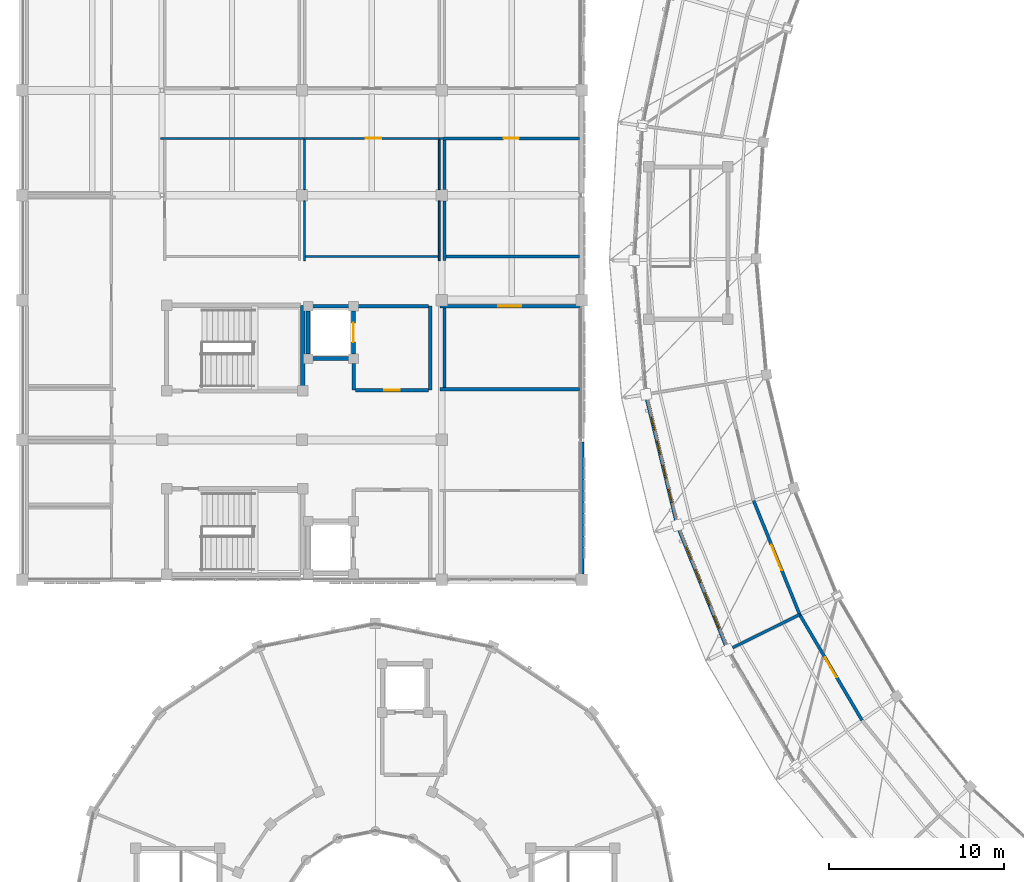
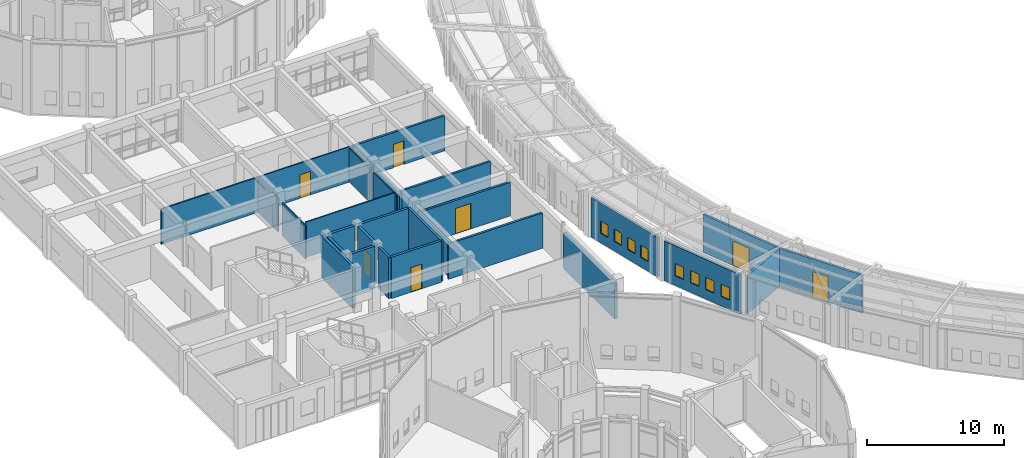
# One storey, part 121 of 149: 29 walls, 8 windows, 7 doors, 15 openings.
"""IFC4 building model written with IfcOpenShell, lengths in metres."""

from ifc_helpers import new_model, si_unit, direction, frame, frame_2d, origin, place, context, subcontext, project, spatial, rectangle, extrude, material, layer, layer_set, type_object, element, fill, save


model = new_model("IFC4")

# Units and contexts
model_context = context("Model", 3, precision=1e-05, world=origin(), true_north=direction((0.0, 1.0)))
body_context = subcontext(model_context, "Body", "Model", "MODEL_VIEW")
ifc_project = project(units=[si_unit("LENGTHUNIT", "METRE"), si_unit("AREAUNIT", "SQUARE_METRE"), si_unit("VOLUMEUNIT", "CUBIC_METRE"), si_unit("PLANEANGLEUNIT", "RADIAN"), si_unit("MASSUNIT", "GRAM", prefix="KILO")], contexts=[model_context])

# Site, building, storey
site_placement = place(None, origin())
site = spatial("IfcSite", under=ifc_project, at=site_placement, CompositionType="ELEMENT")
building_placement = place(site_placement, origin())
building = spatial("IfcBuilding", under=site, at=building_placement, Name="Celadon Cloister-Ring School", CompositionType="ELEMENT")
storey_placement = place(building_placement, frame((0.0, 0.0, 12.5)))
storey = spatial("IfcBuildingStorey", under=building, at=storey_placement, Name="L03", CompositionType="ELEMENT", Elevation=12.5)

# Wall
ifc_material_1 = material(Name="Rendered concrete blockwork", Category="masonry")
ifc_layer_1 = layer(ifc_material_1, 0.260009765625)
ifc_layer_set_1 = layer_set([ifc_layer_1], Name="Rendered concrete blockwork")
wall_type_1 = type_object("IfcWallType", Name="WT-EX2", PredefinedType="SOLIDWALL", material=ifc_layer_set_1)
wall_1_placement = place(storey_placement, frame((32.0, 47.887939453125, 0.0), z_axis=(0.0, 0.0, 1.0), x_axis=(0.0, -1.0, 0.0)))
element("IfcWall", 1, at=wall_1_placement, inside=storey, type_object=wall_type_1, Name="Exterior Wall 0535", PredefinedType="SOLIDWALL", context=body_context, shape_type="SweptSolid", body=[
    extrude(rectangle(XDim=7.56103515625, YDim=0.260009765625, at=frame_2d((3.780517578125, 0.0))), origin(), (0.0, 0.0, 1.0), 3.152099609375),
])

# Wall, openings, windows
ifc_material_2 = material(Name="Perforated terracotta clay brick masonry", Category="masonry")
ifc_layer_2 = layer(ifc_material_2, 0.219970703125)
ifc_layer_set_2 = layer_set([ifc_layer_2], Name="Perforated terracotta clay brick masonry")
wall_type_2 = type_object("IfcWallType", Name="WT-EX4", PredefinedType="SOLIDWALL", material=ifc_layer_set_2)
wall_2_placement = place(storey_placement, frame((37.412109375, 43.419921875, 0.0), z_axis=(0.0, 0.0, 1.0), x_axis=(-0.234017027709, 0.972232498296, 0.0)))
wall_2 = element("IfcWall", 2, at=wall_2_placement, inside=storey, type_object=wall_type_2, Name="Exterior Wall 0182", PredefinedType="SOLIDWALL", context=body_context, shape_type="SweptSolid", body=[
    extrude(rectangle(XDim=7.08154296875, YDim=0.219970703125, at=frame_2d((3.540771484375, 0.0))), origin(), (0.0, 0.0, 1.0), 3.537109375),
])
opening_1_placement = place(wall_2_placement, frame((1.01611328125, 0.0, 0.85009765625)))
opening_1 = element("IfcOpeningElement", 3, at=opening_1_placement, cuts=wall_2, Name="Opening WN-01", PredefinedType="OPENING", context=body_context, shape_type="SweptSolid", body=[
    extrude(rectangle(XDim=0.800048828125, YDim=1.10009765625, at=frame_2d((0.39990234375, 0.550048828125))), frame((0.0, 0.1201171875, 0.0), z_axis=(0.0, -1.0, 0.0), x_axis=(1.0, 0.0, 0.0)), (0.0, 0.0, 1.0), 0.239990234375),
])
opening_2_placement = place(wall_2_placement, frame((2.43310546875, 0.0, 0.85009765625)))
opening_2 = element("IfcOpeningElement", 4, at=opening_2_placement, cuts=wall_2, Name="Opening WN-01", PredefinedType="OPENING", context=body_context, shape_type="SweptSolid", body=[
    extrude(rectangle(XDim=0.800048828125, YDim=1.10009765625, at=frame_2d((0.39990234375, 0.550048828125))), frame((0.0, 0.1201171875, 0.0), z_axis=(0.0, -1.0, 0.0), x_axis=(1.0, 0.0, 0.0)), (0.0, 0.0, 1.0), 0.239990234375),
])
opening_3_placement = place(wall_2_placement, frame((3.84912109375, 0.0, 0.85009765625)))
opening_3 = element("IfcOpeningElement", 5, at=opening_3_placement, cuts=wall_2, Name="Opening WN-01", PredefinedType="OPENING", context=body_context, shape_type="SweptSolid", body=[
    extrude(rectangle(XDim=0.800048828125, YDim=1.10009765625, at=frame_2d((0.39990234375, 0.550048828125))), frame((0.0, 0.1201171875, 0.0), z_axis=(0.0, -1.0, 0.0), x_axis=(1.0, 0.0, 0.0)), (0.0, 0.0, 1.0), 0.239990234375),
])
opening_4_placement = place(wall_2_placement, frame((5.264892578125, 0.0, 0.85009765625)))
opening_4 = element("IfcOpeningElement", 6, at=opening_4_placement, cuts=wall_2, Name="Opening WN-01", PredefinedType="OPENING", context=body_context, shape_type="SweptSolid", body=[
    extrude(rectangle(XDim=0.800048828125, YDim=1.10009765625, at=frame_2d((0.39990234375, 0.550048828125))), frame((0.0, 0.1201171875, 0.0), z_axis=(0.0, -1.0, 0.0), x_axis=(1.0, 0.0, 0.0)), (0.0, 0.0, 1.0), 0.239990234375),
])
ifc_material_3 = material(Name="Tempered laminated insulating glass", Category="glass")
window_type = type_object("IfcWindowType", Name="WN-01", PartitioningType="SINGLE_PANEL", PredefinedType="WINDOW", material=ifc_material_3)
window_1_placement = place(opening_1_placement, origin())
window_1 = element("IfcWindow", 7, at=window_1_placement, inside=storey, type_object=window_type, Name="Window 0472", OverallHeight=1.10009765625, OverallWidth=0.800048828125, PartitioningType="SINGLE_PANEL", PredefinedType="WINDOW", context=body_context, shape_type="SweptSolid", body=[
    extrude(rectangle(XDim=0.800048828125, YDim=1.10009765625, at=frame_2d((0.39990234375, 0.550048828125))), frame((0.0, 0.030029296875, 0.0), z_axis=(0.0, -1.0, 0.0), x_axis=(1.0, 0.0, 0.0)), (0.0, 0.0, 1.0), 0.06005859375),
])
fill(opening_1, window_1)
window_2_placement = place(opening_2_placement, origin())
window_2 = element("IfcWindow", 8, at=window_2_placement, inside=storey, type_object=window_type, Name="Window 0473", OverallHeight=1.10009765625, OverallWidth=0.800048828125, PartitioningType="SINGLE_PANEL", PredefinedType="WINDOW", context=body_context, shape_type="SweptSolid", body=[
    extrude(rectangle(XDim=0.800048828125, YDim=1.10009765625, at=frame_2d((0.39990234375, 0.550048828125))), frame((0.0, 0.030029296875, 0.0), z_axis=(0.0, -1.0, 0.0), x_axis=(1.0, 0.0, 0.0)), (0.0, 0.0, 1.0), 0.06005859375),
])
fill(opening_2, window_2)
window_3_placement = place(opening_3_placement, origin())
window_3 = element("IfcWindow", 9, at=window_3_placement, inside=storey, type_object=window_type, Name="Window 0474", OverallHeight=1.10009765625, OverallWidth=0.800048828125, PartitioningType="SINGLE_PANEL", PredefinedType="WINDOW", context=body_context, shape_type="SweptSolid", body=[
    extrude(rectangle(XDim=0.800048828125, YDim=1.10009765625, at=frame_2d((0.39990234375, 0.550048828125))), frame((0.0, 0.030029296875, 0.0), z_axis=(0.0, -1.0, 0.0), x_axis=(1.0, 0.0, 0.0)), (0.0, 0.0, 1.0), 0.06005859375),
])
fill(opening_3, window_3)
window_4_placement = place(opening_4_placement, origin())
window_4 = element("IfcWindow", 10, at=window_4_placement, inside=storey, type_object=window_type, Name="Window 0475", OverallHeight=1.10009765625, OverallWidth=0.800048828125, PartitioningType="SINGLE_PANEL", PredefinedType="WINDOW", context=body_context, shape_type="SweptSolid", body=[
    extrude(rectangle(XDim=0.800048828125, YDim=1.10009765625, at=frame_2d((0.39990234375, 0.550048828125))), frame((0.0, 0.030029296875, 0.0), z_axis=(0.0, -1.0, 0.0), x_axis=(1.0, 0.0, 0.0)), (0.0, 0.0, 1.0), 0.06005859375),
])
fill(opening_4, window_4)

wall_3_placement = place(storey_placement, frame((40.258056640625, 36.264892578125, 0.0), z_axis=(0.0, 0.0, 1.0), x_axis=(-0.375031251377, 0.92701216847, 0.0)))
wall_3 = element("IfcWall", 11, at=wall_3_placement, inside=storey, type_object=wall_type_2, Name="Exterior Wall 0183", PredefinedType="SOLIDWALL", context=body_context, shape_type="SweptSolid", body=[
    extrude(rectangle(XDim=7.08203125, YDim=0.219970703125, at=frame_2d((3.541015625, 0.0))), origin(), (0.0, 0.0, 1.0), 3.537109375),
])
opening_5_placement = place(wall_3_placement, frame((1.01611328125, 0.0, 0.85009765625)))
opening_5 = element("IfcOpeningElement", 12, at=opening_5_placement, cuts=wall_3, Name="Opening WN-01", PredefinedType="OPENING", context=body_context, shape_type="SweptSolid", body=[
    extrude(rectangle(XDim=0.800048828125, YDim=1.10009765625, at=frame_2d((0.39990234375, 0.550048828125))), frame((0.0, 0.1201171875, 0.0), z_axis=(0.0, -1.0, 0.0), x_axis=(1.0, 0.0, 0.0)), (0.0, 0.0, 1.0), 0.239990234375),
])
opening_6_placement = place(wall_3_placement, frame((2.43310546875, 0.0, 0.85009765625)))
opening_6 = element("IfcOpeningElement", 13, at=opening_6_placement, cuts=wall_3, Name="Opening WN-01", PredefinedType="OPENING", context=body_context, shape_type="SweptSolid", body=[
    extrude(rectangle(XDim=0.800048828125, YDim=1.10009765625, at=frame_2d((0.39990234375, 0.550048828125))), frame((0.0, 0.1201171875, 0.0), z_axis=(0.0, -1.0, 0.0), x_axis=(1.0, 0.0, 0.0)), (0.0, 0.0, 1.0), 0.239990234375),
])
opening_7_placement = place(wall_3_placement, frame((3.84912109375, 0.0, 0.85009765625)))
opening_7 = element("IfcOpeningElement", 14, at=opening_7_placement, cuts=wall_3, Name="Opening WN-01", PredefinedType="OPENING", context=body_context, shape_type="SweptSolid", body=[
    extrude(rectangle(XDim=0.800048828125, YDim=1.10009765625, at=frame_2d((0.39990234375, 0.550048828125))), frame((0.0, 0.1201171875, 0.0), z_axis=(0.0, -1.0, 0.0), x_axis=(1.0, 0.0, 0.0)), (0.0, 0.0, 1.0), 0.239990234375),
])
opening_8_placement = place(wall_3_placement, frame((5.26611328125, 0.0, 0.85009765625)))
opening_8 = element("IfcOpeningElement", 15, at=opening_8_placement, cuts=wall_3, Name="Opening WN-01", PredefinedType="OPENING", context=body_context, shape_type="SweptSolid", body=[
    extrude(rectangle(XDim=0.800048828125, YDim=1.10009765625, at=frame_2d((0.39990234375, 0.550048828125))), frame((0.0, 0.1201171875, 0.0), z_axis=(0.0, -1.0, 0.0), x_axis=(1.0, 0.0, 0.0)), (0.0, 0.0, 1.0), 0.239990234375),
])
window_5_placement = place(opening_5_placement, origin())
window_5 = element("IfcWindow", 16, at=window_5_placement, inside=storey, type_object=window_type, Name="Window 0476", OverallHeight=1.10009765625, OverallWidth=0.800048828125, PartitioningType="SINGLE_PANEL", PredefinedType="WINDOW", context=body_context, shape_type="SweptSolid", body=[
    extrude(rectangle(XDim=0.800048828125, YDim=1.10009765625, at=frame_2d((0.39990234375, 0.550048828125))), frame((0.0, 0.030029296875, 0.0), z_axis=(0.0, -1.0, 0.0), x_axis=(1.0, 0.0, 0.0)), (0.0, 0.0, 1.0), 0.06005859375),
])
fill(opening_5, window_5)
window_6_placement = place(opening_6_placement, origin())
window_6 = element("IfcWindow", 17, at=window_6_placement, inside=storey, type_object=window_type, Name="Window 0477", OverallHeight=1.10009765625, OverallWidth=0.800048828125, PartitioningType="SINGLE_PANEL", PredefinedType="WINDOW", context=body_context, shape_type="SweptSolid", body=[
    extrude(rectangle(XDim=0.800048828125, YDim=1.10009765625, at=frame_2d((0.39990234375, 0.550048828125))), frame((0.0, 0.030029296875, 0.0), z_axis=(0.0, -1.0, 0.0), x_axis=(1.0, 0.0, 0.0)), (0.0, 0.0, 1.0), 0.06005859375),
])
fill(opening_6, window_6)
window_7_placement = place(opening_7_placement, origin())
window_7 = element("IfcWindow", 18, at=window_7_placement, inside=storey, type_object=window_type, Name="Window 0478", OverallHeight=1.10009765625, OverallWidth=0.800048828125, PartitioningType="SINGLE_PANEL", PredefinedType="WINDOW", context=body_context, shape_type="SweptSolid", body=[
    extrude(rectangle(XDim=0.800048828125, YDim=1.10009765625, at=frame_2d((0.39990234375, 0.550048828125))), frame((0.0, 0.030029296875, 0.0), z_axis=(0.0, -1.0, 0.0), x_axis=(1.0, 0.0, 0.0)), (0.0, 0.0, 1.0), 0.06005859375),
])
fill(opening_7, window_7)
window_8_placement = place(opening_8_placement, origin())
window_8 = element("IfcWindow", 19, at=window_8_placement, inside=storey, type_object=window_type, Name="Window 0479", OverallHeight=1.10009765625, OverallWidth=0.800048828125, PartitioningType="SINGLE_PANEL", PredefinedType="WINDOW", context=body_context, shape_type="SweptSolid", body=[
    extrude(rectangle(XDim=0.800048828125, YDim=1.10009765625, at=frame_2d((0.39990234375, 0.550048828125))), frame((0.0, 0.030029296875, 0.0), z_axis=(0.0, -1.0, 0.0), x_axis=(1.0, 0.0, 0.0)), (0.0, 0.0, 1.0), 0.06005859375),
])
fill(opening_8, window_8)

# Walls
ifc_material_4 = material(Name="Plastered hollow concrete masonry", Category="masonry")
ifc_layer_3 = layer(ifc_material_4, 0.199951171875)
ifc_layer_set_3 = layer_set([ifc_layer_3], Name="Plastered hollow concrete masonry")
wall_type_3 = type_object("IfcWallType", Name="WT-PT1", PredefinedType="PARTITIONING", material=ifc_layer_set_3)
wall_4_placement = place(storey_placement, frame((18.949951171875, 50.85009765625, 0.0), z_axis=(0.0, 0.0, 1.0), x_axis=(0.0, 1.0, 0.0)))
element("IfcWall", 20, at=wall_4_placement, inside=storey, type_object=wall_type_3, Name="Interior Wall 0279", PredefinedType="PARTITIONING", context=body_context, shape_type="SweptSolid", body=[
    extrude(rectangle(XDim=1.532958984375, YDim=0.199951171875, at=frame_2d((0.7666015625, 0.0))), origin(), (0.0, 0.0, 1.0), 3.699951171875),
])
wall_5_placement = place(storey_placement, frame((23.35009765625, 50.85009765625, 0.0), z_axis=(0.0, 0.0, 1.0), x_axis=(0.0, 1.0, 0.0)))
element("IfcWall", 21, at=wall_5_placement, inside=storey, type_object=wall_type_3, Name="Interior Wall 0280", PredefinedType="PARTITIONING", context=body_context, shape_type="SweptSolid", body=[
    extrude(rectangle(XDim=4.7998046875, YDim=0.199951171875, at=frame_2d((2.39990234375, 0.0))), origin(), (0.0, 0.0, 1.0), 3.699951171875),
])
wall_6_placement = place(storey_placement, frame((19.217041015625, 55.64990234375, 0.0), z_axis=(0.0, 0.0, 1.0), x_axis=(1.0, 0.0, 0.0)))
element("IfcWall", 22, at=wall_6_placement, inside=storey, type_object=wall_type_3, Name="Interior Wall 0281", PredefinedType="PARTITIONING", context=body_context, shape_type="SweptSolid", body=[
    extrude(rectangle(XDim=4.030029296875, YDim=0.199951171875, at=frame_2d((2.01513671875, 0.0))), origin(), (0.0, 0.0, 1.0), 3.699951171875),
])

# Wall, opening, door
wall_7_placement = place(storey_placement, frame((19.052978515625, 50.85009765625, 0.0), z_axis=(0.0, 0.0, 1.0), x_axis=(1.0, 0.0, 0.0)))
wall_7 = element("IfcWall", 23, at=wall_7_placement, inside=storey, type_object=wall_type_3, Name="Interior Wall 0282", PredefinedType="PARTITIONING", context=body_context, shape_type="SweptSolid", body=[
    extrude(rectangle(XDim=4.194091796875, YDim=0.199951171875, at=frame_2d((2.09716796875, 0.0))), origin(), (0.0, 0.0, 1.0), 3.699951171875),
])
opening_9_placement = place(wall_7_placement, frame((1.64697265625, 0.0, 0.0)))
opening_9 = element("IfcOpeningElement", 24, at=opening_9_placement, cuts=wall_7, Name="Opening D-0094", PredefinedType="OPENING", context=body_context, shape_type="SweptSolid", body=[
    extrude(rectangle(XDim=0.89990234375, YDim=2.199951171875, at=frame_2d((0.449951171875, 1.10009765625))), frame((0.0, 0.10986328125, 0.0), z_axis=(0.0, -1.0, 0.0), x_axis=(1.0, 0.0, 0.0)), (0.0, 0.0, 1.0), 0.219970703125),
])
ifc_material_5 = material(Name="Solid-core fire-rated hardwood leaf", Category="wood")
door_type_1 = type_object("IfcDoorType", Name="DT-06", OperationType="NOTDEFINED", PredefinedType="DOOR", material=ifc_material_5)
door_1_placement = place(opening_9_placement, origin())
door_1 = element("IfcDoor", 25, at=door_1_placement, inside=storey, type_object=door_type_1, Name="Door D-0094", OperationType="SINGLE_SWING_RIGHT", OverallHeight=2.199951171875, OverallWidth=0.89990234375, PredefinedType="DOOR", context=body_context, shape_type="SweptSolid", body=[
    extrude(rectangle(XDim=0.89990234375, YDim=2.199951171875, at=frame_2d((0.449951171875, 1.10009765625))), frame((0.0, 0.02490234375, 0.0), z_axis=(0.0, -1.0, 0.0), x_axis=(1.0, 0.0, 0.0)), (0.0, 0.0, 1.0), 0.050048828125),
])
fill(opening_9, door_1)

ifc_material_6 = material(Name="Plastered hollow concrete masonry", Category="masonry")
ifc_layer_4 = layer(ifc_material_6, 0.179931640625)
ifc_layer_set_4 = layer_set([ifc_layer_4], Name="Plastered hollow concrete masonry")
wall_type_4 = type_object("IfcWallType", Name="WT-PT2", PredefinedType="PARTITIONING", material=ifc_layer_set_4)
wall_8_placement = place(storey_placement, frame((41.845947265625, 44.51708984375, 0.0), z_axis=(0.0, 0.0, 1.0), x_axis=(0.375036360506, -0.927010101508, 0.0)))
wall_8 = element("IfcWall", 26, at=wall_8_placement, inside=storey, type_object=wall_type_4, Name="Interior Wall 0618", PredefinedType="PARTITIONING", context=body_context, shape_type="SweptSolid", body=[
    extrude(rectangle(XDim=7.026123046875, YDim=0.179931640625, at=frame_2d((3.51318359375, 0.0))), origin(), (0.0, 0.0, 1.0), 3.39697265625),
])
opening_10_placement = place(wall_8_placement, frame((2.738037109375, 0.0, 0.0)))
opening_10 = element("IfcOpeningElement", 27, at=opening_10_placement, cuts=wall_8, Name="Opening D-0215", PredefinedType="OPENING", context=body_context, shape_type="SweptSolid", body=[
    extrude(rectangle(XDim=1.550048828125, YDim=2.199951171875, at=frame_2d((0.77490234375, 1.10009765625))), frame((0.0, 0.10009765625, 0.0), z_axis=(0.0, -1.0, 0.0), x_axis=(1.0, 0.0, 0.0)), (0.0, 0.0, 1.0), 0.199951171875),
])
ifc_material_7 = material(Name="Galvanised fire-rated hollow steel leaf", Category="steel")
door_type_2 = type_object("IfcDoorType", Name="DT-13", OperationType="NOTDEFINED", PredefinedType="DOOR", material=ifc_material_7)
door_2_placement = place(opening_10_placement, origin())
door_2 = element("IfcDoor", 28, at=door_2_placement, inside=storey, type_object=door_type_2, Name="Door D-0215", OperationType="SINGLE_SWING_LEFT", OverallHeight=2.199951171875, OverallWidth=1.550048828125, PredefinedType="DOOR", context=body_context, shape_type="SweptSolid", body=[
    extrude(rectangle(XDim=1.550048828125, YDim=2.199951171875, at=frame_2d((0.77490234375, 1.10009765625))), frame((0.0, 0.02490234375, 0.0), z_axis=(0.0, -1.0, 0.0), x_axis=(1.0, 0.0, 0.0)), (0.0, 0.0, 1.0), 0.050048828125),
])
fill(opening_10, door_2)

wall_9_placement = place(storey_placement, frame((44.48095703125, 38.00390625, 0.0), z_axis=(0.0, 0.0, 1.0), x_axis=(0.508041876767, -0.861332369908, 0.0)))
wall_9 = element("IfcWall", 29, at=wall_9_placement, inside=storey, type_object=wall_type_4, Name="Interior Wall 0619", PredefinedType="PARTITIONING", context=body_context, shape_type="SweptSolid", body=[
    extrude(rectangle(XDim=7.025146484375, YDim=0.179931640625, at=frame_2d((3.5126953125, 0.0))), origin(), (0.0, 0.0, 1.0), 3.39697265625),
])
opening_11_placement = place(wall_9_placement, frame((2.863037109375, 0.0, 0.0)))
opening_11 = element("IfcOpeningElement", 30, at=opening_11_placement, cuts=wall_9, Name="Opening D-0216", PredefinedType="OPENING", context=body_context, shape_type="SweptSolid", body=[
    extrude(rectangle(XDim=1.300048828125, YDim=2.280029296875, at=frame_2d((0.64990234375, 1.14013671875))), frame((0.0, 0.10009765625, 0.0), z_axis=(0.0, -1.0, 0.0), x_axis=(1.0, 0.0, 0.0)), (0.0, 0.0, 1.0), 0.199951171875),
])
ifc_material_8 = material(Name="Galvanised fire-rated hollow steel leaf", Category="steel")
door_type_3 = type_object("IfcDoorType", Name="DT-16", OperationType="NOTDEFINED", PredefinedType="DOOR", material=ifc_material_8)
door_3_placement = place(opening_11_placement, origin())
door_3 = element("IfcDoor", 31, at=door_3_placement, inside=storey, type_object=door_type_3, Name="Door D-0216", OperationType="SINGLE_SWING_RIGHT", OverallHeight=2.280029296875, OverallWidth=1.300048828125, PredefinedType="DOOR", context=body_context, shape_type="SweptSolid", body=[
    extrude(rectangle(XDim=1.300048828125, YDim=2.280029296875, at=frame_2d((0.64990234375, 1.14013671875))), frame((0.0, 0.02490234375, 0.0), z_axis=(0.0, -1.0, 0.0), x_axis=(1.0, 0.0, 0.0)), (0.0, 0.0, 1.0), 0.050048828125),
])
fill(opening_11, door_3)

wall_10_placement = place(storey_placement, frame((24.090087890625, 65.25, 0.0), z_axis=(0.0, 0.0, 1.0), x_axis=(1.0, 0.0, 0.0)))
wall_10 = element("IfcWall", 32, at=wall_10_placement, inside=storey, type_object=wall_type_4, Name="Interior Wall 1087", PredefinedType="PARTITIONING", context=body_context, shape_type="SweptSolid", body=[
    extrude(rectangle(XDim=7.77685546875, YDim=0.179931640625, at=frame_2d((3.888427734375, 0.0))), origin(), (0.0, 0.0, 1.0), 3.152099609375),
])
opening_12_placement = place(wall_10_placement, frame((3.448974609375, 0.0, 0.0)))
opening_12 = element("IfcOpeningElement", 33, at=opening_12_placement, cuts=wall_10, Name="Opening D-0386", PredefinedType="OPENING", context=body_context, shape_type="SweptSolid", body=[
    extrude(rectangle(XDim=0.8798828125, YDim=2.10009765625, at=frame_2d((0.43994140625, 1.050048828125))), frame((0.0, 0.10009765625, 0.0), z_axis=(0.0, -1.0, 0.0), x_axis=(1.0, 0.0, 0.0)), (0.0, 0.0, 1.0), 0.199951171875),
])
ifc_material_9 = material(Name="Solid-core fire-rated hardwood leaf", Category="wood")
door_type_4 = type_object("IfcDoorType", Name="DT-01", OperationType="NOTDEFINED", PredefinedType="DOOR", material=ifc_material_9)
door_4_placement = place(opening_12_placement, origin())
door_4 = element("IfcDoor", 34, at=door_4_placement, inside=storey, type_object=door_type_4, Name="Door D-0386", OperationType="SINGLE_SWING_RIGHT", OverallHeight=2.10009765625, OverallWidth=0.8798828125, PredefinedType="DOOR", context=body_context, shape_type="SweptSolid", body=[
    extrude(rectangle(XDim=0.8798828125, YDim=2.10009765625, at=frame_2d((0.43994140625, 1.050048828125))), frame((0.0, 0.02490234375, 0.0), z_axis=(0.0, -1.0, 0.0), x_axis=(1.0, 0.0, 0.0)), (0.0, 0.0, 1.0), 0.050048828125),
])
fill(opening_12, door_4)

# Walls
wall_11_placement = place(storey_placement, frame((24.14990234375, 58.260009765625, 0.0), z_axis=(0.0, 0.0, 1.0), x_axis=(0.0, 1.0, 0.0)))
element("IfcWall", 35, at=wall_11_placement, inside=storey, type_object=wall_type_4, Name="Interior Wall 1088", PredefinedType="PARTITIONING", context=body_context, shape_type="SweptSolid", body=[
    extrude(rectangle(XDim=3.423095703125, YDim=0.179931640625, at=frame_2d((1.71142578125, 0.0))), origin(), (0.0, 0.0, 1.0), 3.001953125),
])
wall_12_placement = place(storey_placement, frame((24.14990234375, 62.31689453125, 0.0), z_axis=(0.0, 0.0, 1.0), x_axis=(0.0, 1.0, 0.0)))
element("IfcWall", 36, at=wall_12_placement, inside=storey, type_object=wall_type_4, Name="Interior Wall 1089", PredefinedType="PARTITIONING", context=body_context, shape_type="SweptSolid", body=[
    extrude(rectangle(XDim=2.840087890625, YDim=0.179931640625, at=frame_2d((1.419921875, 0.0))), origin(), (0.0, 0.0, 1.0), 3.001953125),
])
wall_13_placement = place(storey_placement, frame((31.866943359375, 58.5, 0.0), z_axis=(0.0, 0.0, 1.0), x_axis=(-1.0, 0.0, 0.0)))
element("IfcWall", 37, at=wall_13_placement, inside=storey, type_object=wall_type_4, Name="Interior Wall 1090", PredefinedType="PARTITIONING", context=body_context, shape_type="SweptSolid", body=[
    extrude(rectangle(XDim=7.6240234375, YDim=0.179931640625, at=frame_2d((3.81201171875, 0.0))), origin(), (0.0, 0.0, 1.0), 3.152099609375),
])

# Wall, opening, door
wall_14_placement = place(storey_placement, frame((23.909912109375, 55.64990234375, 0.0), z_axis=(0.0, 0.0, 1.0), x_axis=(1.0, 0.0, 0.0)))
wall_14 = element("IfcWall", 38, at=wall_14_placement, inside=storey, type_object=wall_type_4, Name="Interior Wall 1114", PredefinedType="PARTITIONING", context=body_context, shape_type="SweptSolid", body=[
    extrude(rectangle(XDim=7.95703125, YDim=0.179931640625, at=frame_2d((3.978515625, 0.0))), origin(), (0.0, 0.0, 1.0), 3.001953125),
])
opening_13_placement = place(wall_14_placement, frame((3.3291015625, 0.0, 0.0)))
opening_13 = element("IfcOpeningElement", 39, at=opening_13_placement, cuts=wall_14, Name="Opening D-0396", PredefinedType="OPENING", context=body_context, shape_type="SweptSolid", body=[
    extrude(rectangle(XDim=1.300048828125, YDim=2.280029296875, at=frame_2d((0.64990234375, 1.14013671875))), frame((0.0, 0.10009765625, 0.0), z_axis=(0.0, -1.0, 0.0), x_axis=(1.0, 0.0, 0.0)), (0.0, 0.0, 1.0), 0.199951171875),
])
door_5_placement = place(opening_13_placement, origin())
door_5 = element("IfcDoor", 40, at=door_5_placement, inside=storey, type_object=door_type_3, Name="Door D-0396", OperationType="SINGLE_SWING_RIGHT", OverallHeight=2.280029296875, OverallWidth=1.300048828125, PredefinedType="DOOR", context=body_context, shape_type="SweptSolid", body=[
    extrude(rectangle(XDim=1.300048828125, YDim=2.280029296875, at=frame_2d((0.64990234375, 1.14013671875))), frame((0.0, 0.02490234375, 0.0), z_axis=(0.0, -1.0, 0.0), x_axis=(1.0, 0.0, 0.0)), (0.0, 0.0, 1.0), 0.050048828125),
])
fill(opening_13, door_5)

# Walls
wall_15_placement = place(storey_placement, frame((31.866943359375, 50.89990234375, 0.0), z_axis=(0.0, 0.0, 1.0), x_axis=(-1.0, 0.0, 0.0)))
element("IfcWall", 41, at=wall_15_placement, inside=storey, type_object=wall_type_4, Name="Interior Wall 1115", PredefinedType="PARTITIONING", context=body_context, shape_type="SweptSolid", body=[
    extrude(rectangle(XDim=7.95703125, YDim=0.179931640625, at=frame_2d((3.978515625, 0.0))), origin(), (0.0, 0.0, 1.0), 3.152099609375),
])
wall_16_placement = place(storey_placement, frame((24.14990234375, 50.992919921875, 0.0), z_axis=(0.0, 0.0, 1.0), x_axis=(0.0, 1.0, 0.0)))
element("IfcWall", 42, at=wall_16_placement, inside=storey, type_object=wall_type_4, Name="Interior Wall 1116", PredefinedType="PARTITIONING", context=body_context, shape_type="SweptSolid", body=[
    extrude(rectangle(XDim=4.56396484375, YDim=0.179931640625, at=frame_2d((2.281982421875, 0.0))), origin(), (0.0, 0.0, 1.0), 3.152099609375),
])
ifc_material_10 = material(Name="Plastered hollow concrete masonry", Category="masonry")
ifc_layer_5 = layer(ifc_material_10, 0.159912109375)
ifc_layer_set_5 = layer_set([ifc_layer_5], Name="Plastered hollow concrete masonry")
wall_type_5 = type_object("IfcWallType", Name="WT-PT3", PredefinedType="PARTITIONING", material=ifc_layer_set_5)
wall_17_placement = place(storey_placement, frame((44.48095703125, 38.00390625, 0.0), z_axis=(0.0, 0.0, 1.0), x_axis=(-0.896659718164, -0.442720396889, 0.0)))
element("IfcWall", 43, at=wall_17_placement, inside=storey, type_object=wall_type_5, Name="Interior Wall 0596", PredefinedType="PARTITIONING", context=body_context, shape_type="SweptSolid", body=[
    extrude(rectangle(XDim=4.287109375, YDim=0.159912109375, at=frame_2d((2.1435546875, 0.0))), origin(), (0.0, 0.0, 1.0), 3.39697265625),
])
ifc_material_11 = material(Name="Acoustic mineral-wool drywall partition")
ifc_layer_6 = layer(ifc_material_11, 0.1201171875)
ifc_layer_set_6 = layer_set([ifc_layer_6], Name="Acoustic mineral-wool drywall partition")
wall_type_6 = type_object("IfcWallType", Name="WT-PT5", PredefinedType="PARTITIONING", material=ifc_layer_set_6)
wall_18_placement = place(storey_placement, frame((7.909912109375, 65.25, 0.0), z_axis=(0.0, 0.0, 1.0), x_axis=(1.0, 0.0, 0.0)))
element("IfcWall", 44, at=wall_18_placement, inside=storey, type_object=wall_type_6, Name="Interior Wall 1076", PredefinedType="PARTITIONING", context=body_context, shape_type="SweptSolid", body=[
    extrude(rectangle(XDim=8.18017578125, YDim=0.1201171875, at=frame_2d((4.090087890625, 0.0))), origin(), (0.0, 0.0, 1.0), 3.152099609375),
])

# Wall, opening, door
ifc_material_12 = material(Name="Acoustic mineral-wool drywall partition")
ifc_layer_7 = layer(ifc_material_12, 0.10009765625)
ifc_layer_set_7 = layer_set([ifc_layer_7], Name="Acoustic mineral-wool drywall partition")
wall_type_7 = type_object("IfcWallType", Name="WT-PT6", PredefinedType="PARTITIONING", material=ifc_layer_set_7)
wall_19_placement = place(storey_placement, frame((16.090087890625, 65.25, 0.0), z_axis=(0.0, 0.0, 1.0), x_axis=(1.0, 0.0, 0.0)))
wall_19 = element("IfcWall", 45, at=wall_19_placement, inside=storey, type_object=wall_type_7, Name="Interior Wall 1081", PredefinedType="PARTITIONING", context=body_context, shape_type="SweptSolid", body=[
    extrude(rectangle(XDim=8.0, YDim=0.10009765625, at=frame_2d((4.0, 0.0))), origin(), (0.0, 0.0, 1.0), 3.152099609375),
])
opening_14_placement = place(wall_19_placement, frame((3.56005859375, 0.0, 0.0)))
opening_14 = element("IfcOpeningElement", 46, at=opening_14_placement, cuts=wall_19, Name="Opening D-0385", PredefinedType="OPENING", context=body_context, shape_type="SweptSolid", body=[
    extrude(rectangle(XDim=0.8798828125, YDim=2.10009765625, at=frame_2d((0.43994140625, 1.050048828125))), frame((0.0, 0.06005859375, 0.0), z_axis=(0.0, -1.0, 0.0), x_axis=(1.0, 0.0, 0.0)), (0.0, 0.0, 1.0), 0.1201171875),
])
door_6_placement = place(opening_14_placement, origin())
door_6 = element("IfcDoor", 47, at=door_6_placement, inside=storey, type_object=door_type_4, Name="Door D-0385", OperationType="SINGLE_SWING_LEFT", OverallHeight=2.10009765625, OverallWidth=0.8798828125, PredefinedType="DOOR", context=body_context, shape_type="SweptSolid", body=[
    extrude(rectangle(XDim=0.8798828125, YDim=2.10009765625, at=frame_2d((0.43994140625, 1.050048828125))), frame((0.0, 0.02490234375, 0.0), z_axis=(0.0, -1.0, 0.0), x_axis=(1.0, 0.0, 0.0)), (0.0, 0.0, 1.0), 0.050048828125),
])
fill(opening_14, door_6)

# Walls
wall_20_placement = place(storey_placement, frame((23.85009765625, 65.197021484375, 0.0), z_axis=(0.0, 0.0, 1.0), x_axis=(0.0, -1.0, 0.0)))
element("IfcWall", 48, at=wall_20_placement, inside=storey, type_object=wall_type_7, Name="Interior Wall 1082", PredefinedType="PARTITIONING", context=body_context, shape_type="SweptSolid", body=[
    extrude(rectangle(XDim=2.880126953125, YDim=0.10009765625, at=frame_2d((1.43994140625, 0.0))), origin(), (0.0, 0.0, 1.0), 3.001953125),
])
for number, where, z_axis, x_axis, name in (
    (49, (23.85009765625, 61.68310546875, 0.0), (0.0, 0.0, 1.0), (0.0, -1.0, 0.0), "Interior Wall 1083"),
    (50, (16.14990234375, 58.260009765625, 0.0), (0.0, 0.0, 1.0), (0.0, 1.0, 0.0), "Interior Wall 1084"),
):
    element("IfcWall", number, at=place(storey_placement, frame(where, z_axis=z_axis, x_axis=x_axis)), inside=storey, type_object=wall_type_7, Name=name, PredefinedType="PARTITIONING", context=body_context, shape_type="SweptSolid", body=[
        extrude(rectangle(XDim=3.423095703125, YDim=0.10009765625, at=frame_2d((1.71142578125, 0.0))), origin(), (0.0, 0.0, 1.0), 3.001953125),
    ])
wall_21_placement = place(storey_placement, frame((16.14990234375, 62.31689453125, 0.0), z_axis=(0.0, 0.0, 1.0), x_axis=(0.0, 1.0, 0.0)))
element("IfcWall", 51, at=wall_21_placement, inside=storey, type_object=wall_type_7, Name="Interior Wall 1085", PredefinedType="PARTITIONING", context=body_context, shape_type="SweptSolid", body=[
    extrude(rectangle(XDim=2.880126953125, YDim=0.10009765625, at=frame_2d((1.43994140625, 0.0))), origin(), (0.0, 0.0, 1.0), 3.001953125),
])
wall_22_placement = place(storey_placement, frame((23.797119140625, 58.5, 0.0), z_axis=(0.0, 0.0, 1.0), x_axis=(-1.0, 0.0, 0.0)))
element("IfcWall", 52, at=wall_22_placement, inside=storey, type_object=wall_type_7, Name="Interior Wall 1086", PredefinedType="PARTITIONING", context=body_context, shape_type="SweptSolid", body=[
    extrude(rectangle(XDim=7.59423828125, YDim=0.10009765625, at=frame_2d((3.797119140625, 0.0))), origin(), (0.0, 0.0, 1.0), 3.152099609375),
])
ifc_material_13 = material(Name="Concrete C40/50", Category="concrete")
ifc_layer_8 = layer(ifc_material_13, 0.239990234375)
ifc_layer_set_8 = layer_set([ifc_layer_8], Name="Concrete C40/50")
wall_type_8 = type_object("IfcWallType", Name="WT-SH1", PredefinedType="SHEAR", material=ifc_layer_set_8)
wall_23_placement = place(storey_placement, frame((16.050048828125, 55.699951171875, 0.0), z_axis=(0.0, 0.0, 1.0), x_axis=(0.0, -1.0, 0.0)))
element("IfcWall", 53, at=wall_23_placement, inside=storey, type_object=wall_type_8, Name="Interior Wall 0038", PredefinedType="SHEAR", context=body_context, shape_type="SweptSolid", body=[
    extrude(rectangle(XDim=4.60791015625, YDim=0.239990234375, at=frame_2d((2.303955078125, 0.0))), origin(), (0.0, 0.0, 1.0), 3.739990234375),
])
ifc_material_14 = material(Name="Concrete C40/50", Category="concrete")
ifc_layer_9 = layer(ifc_material_14, 0.219970703125)
ifc_layer_set_9 = layer_set([ifc_layer_9], Name="Concrete C40/50")
wall_type_9 = type_object("IfcWallType", Name="WT-SH2", PredefinedType="SHEAR", material=ifc_layer_set_9)
wall_24_placement = place(storey_placement, frame((16.616943359375, 52.64990234375, 0.0), z_axis=(0.0, 0.0, 1.0), x_axis=(1.0, 0.0, 0.0)))
element("IfcWall", 54, at=wall_24_placement, inside=storey, type_object=wall_type_9, Name="Interior Wall 0275", PredefinedType="SHEAR", context=body_context, shape_type="SweptSolid", body=[
    extrude(rectangle(XDim=2.066162109375, YDim=0.219970703125, at=frame_2d((1.033203125, 0.0))), origin(), (0.0, 0.0, 1.0), 3.739990234375),
])

# Wall, opening, door
wall_25_placement = place(storey_placement, frame((18.949951171875, 52.9169921875, 0.0), z_axis=(0.0, 0.0, 1.0), x_axis=(0.0, 1.0, 0.0)))
wall_25 = element("IfcWall", 55, at=wall_25_placement, inside=storey, type_object=wall_type_9, Name="Interior Wall 0276", PredefinedType="SHEAR", context=body_context, shape_type="SweptSolid", body=[
    extrude(rectangle(XDim=2.466064453125, YDim=0.219970703125, at=frame_2d((1.23291015625, 0.0))), origin(), (0.0, 0.0, 1.0), 3.739990234375),
])
opening_15_placement = place(wall_25_placement, frame((0.68310546875, 0.0, 0.0)))
opening_15 = element("IfcOpeningElement", 56, at=opening_15_placement, cuts=wall_25, Name="Opening LD-010", PredefinedType="OPENING", context=body_context, shape_type="SweptSolid", body=[
    extrude(rectangle(XDim=1.10009765625, YDim=2.14990234375, at=frame_2d((0.550048828125, 1.074951171875))), frame((0.0, 0.1201171875, 0.0), z_axis=(0.0, -1.0, 0.0), x_axis=(1.0, 0.0, 0.0)), (0.0, 0.0, 1.0), 0.239990234375),
])
ifc_material_15 = material(Name="Galvanised fire-rated hollow steel leaf", Category="steel")
door_type_5 = type_object("IfcDoorType", Name="DT-LD1", OperationType="DOUBLE_DOOR_SLIDING", PredefinedType="DOOR", material=ifc_material_15)
door_7_placement = place(opening_15_placement, origin())
door_7 = element("IfcDoor", 57, at=door_7_placement, inside=storey, type_object=door_type_5, Name="Door LD-010", OperationType="DOUBLE_DOOR_SLIDING", OverallHeight=2.14990234375, OverallWidth=1.10009765625, PredefinedType="DOOR", context=body_context, shape_type="SweptSolid", body=[
    extrude(rectangle(XDim=1.10009765625, YDim=2.14990234375, at=frame_2d((0.550048828125, 1.074951171875))), frame((0.0, 0.02490234375, 0.0), z_axis=(0.0, -1.0, 0.0), x_axis=(1.0, 0.0, 0.0)), (0.0, 0.0, 1.0), 0.050048828125),
])
fill(opening_15, door_7)

# Walls
wall_26_placement = place(storey_placement, frame((18.68310546875, 55.64990234375, 0.0), z_axis=(0.0, 0.0, 1.0), x_axis=(-1.0, 0.0, 0.0)))
element("IfcWall", 58, at=wall_26_placement, inside=storey, type_object=wall_type_9, Name="Interior Wall 0277", PredefinedType="SHEAR", context=body_context, shape_type="SweptSolid", body=[
    extrude(rectangle(XDim=2.066162109375, YDim=0.219970703125, at=frame_2d((1.033203125, 0.0))), origin(), (0.0, 0.0, 1.0), 3.739990234375),
])
wall_27_placement = place(storey_placement, frame((16.35009765625, 55.383056640625, 0.0), z_axis=(0.0, 0.0, 1.0), x_axis=(0.0, -1.0, 0.0)))
element("IfcWall", 59, at=wall_27_placement, inside=storey, type_object=wall_type_9, Name="Interior Wall 0278", PredefinedType="SHEAR", context=body_context, shape_type="SweptSolid", body=[
    extrude(rectangle(XDim=2.466064453125, YDim=0.219970703125, at=frame_2d((1.23291015625, 0.0))), origin(), (0.0, 0.0, 1.0), 3.739990234375),
])

save(model, "model.ifc")
